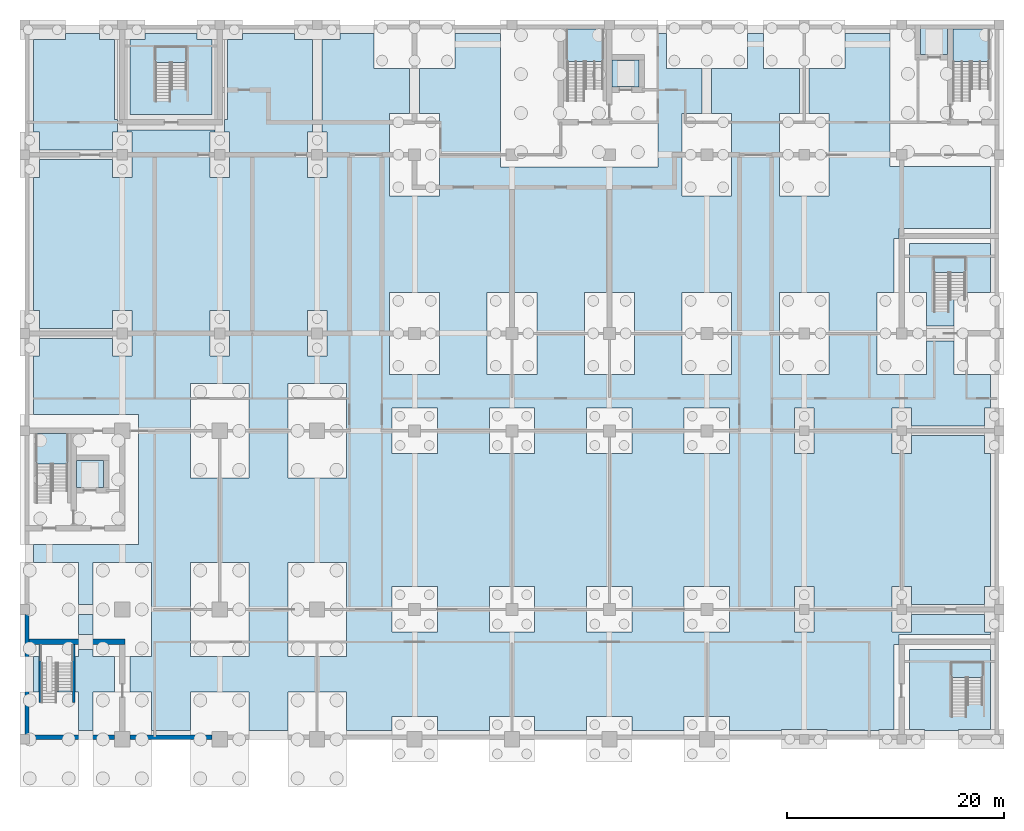
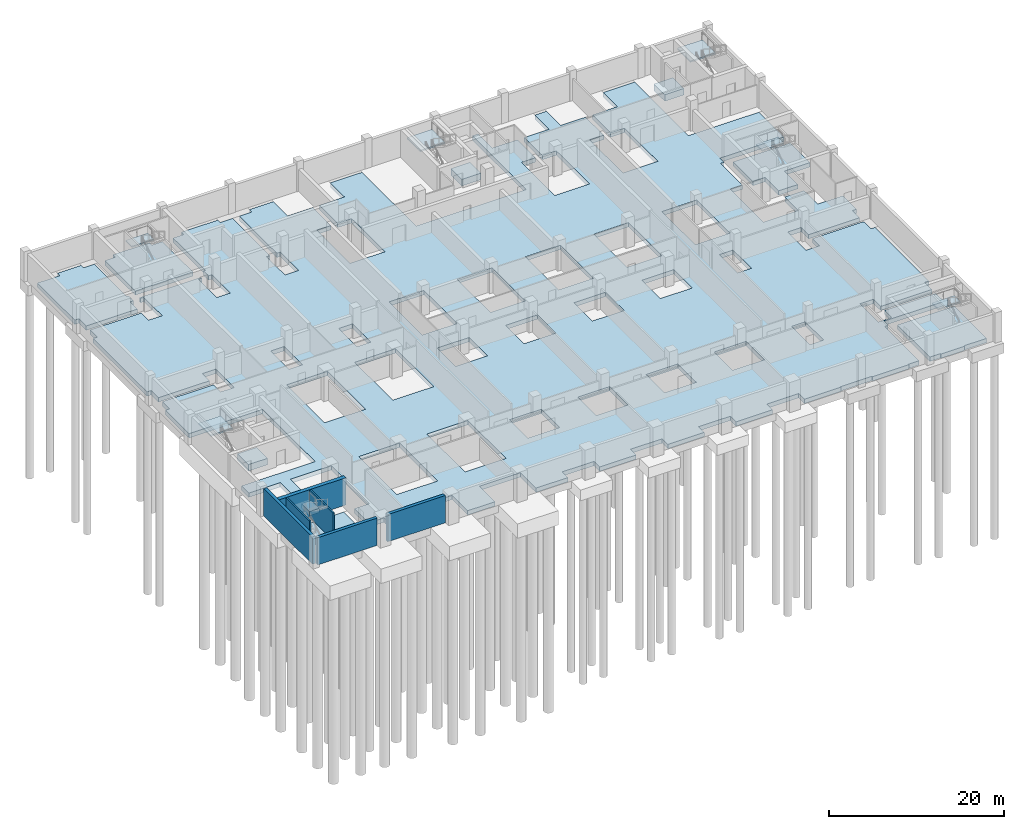
# One storey, part 4 of 15: 16 slabs, 6 walls, 6 elements without a shape of their own.
"""IFC4 building model written with IfcOpenShell, lengths in metres."""

from ifc_helpers import new_model, si_unit, direction, frame, frame_2d, origin, place, context, subcontext, project, spatial, polyline, rectangle, outline, extrude, material, layer, layer_set, type_object, element, aggregate, save


model = new_model("IFC4")

# Units and contexts
model_context = context("Model", 3, precision=1e-05, world=origin(), true_north=direction((0.0, 1.0)))
body_context = subcontext(model_context, "Body", "Model", "MODEL_VIEW")
ifc_project = project(units=[si_unit("LENGTHUNIT", "METRE"), si_unit("AREAUNIT", "SQUARE_METRE"), si_unit("VOLUMEUNIT", "CUBIC_METRE"), si_unit("PLANEANGLEUNIT", "RADIAN"), si_unit("MASSUNIT", "GRAM", prefix="KILO")], contexts=[model_context])

# Site, building, storey
site_placement = place(None, origin())
site = spatial("IfcSite", under=ifc_project, at=site_placement, CompositionType="ELEMENT")
building_placement = place(site_placement, origin())
building = spatial("IfcBuilding", under=site, at=building_placement, Name="Aurelan Courthouse", CompositionType="ELEMENT")
storey_placement = place(building_placement, frame((0.0, 0.0, -8.39990234375)))
storey = spatial("IfcBuildingStorey", under=building, at=storey_placement, Name="B2", CompositionType="ELEMENT", Elevation=-8.39990234375)

# Slabs
ifc_material_1 = material(Name="Concrete C50", Category="concrete")
ifc_layer_1 = layer(ifc_material_1, 0.60009765625)
ifc_layer_set_1 = layer_set([ifc_layer_1], Name="Concrete C50")
slab_type_1 = type_object("IfcSlabType", Name="Base slab 600", PredefinedType="BASESLAB", material=ifc_layer_set_1)
slab_1_placement = place(storey_placement, frame((0.0, 0.0, -0.60009765625)))
element("IfcSlab", 1, at=slab_1_placement, inside=storey, type_object=slab_type_1, Name="Base slab SL-B2-01", PredefinedType="BASESLAB", context=body_context, shape_type="SweptSolid", body=[
    extrude(outline(polyline([(29.10009765625, 65.199951171875), (29.10009765625, 64.64990234375), (27.449951171875, 64.64990234375), (27.449951171875, 56.10009765625), (27.89990234375, 56.10009765625), (27.89990234375, 51.89990234375), (26.10009765625, 51.89990234375), (26.10009765625, 56.10009765625), (26.550048828125, 56.10009765625), (26.550048828125, 64.64990234375), (24.89990234375, 64.64990234375), (24.89990234375, 65.199951171875), (20.10009765625, 65.199951171875), (20.10009765625, 64.64990234375), (18.699951171875, 64.64990234375), (18.699951171875, 57.25), (18.449951171875, 57.25), (18.449951171875, 56.10009765625), (18.89990234375, 56.10009765625), (18.89990234375, 51.89990234375), (17.10009765625, 51.89990234375), (17.10009765625, 56.10009765625), (17.550048828125, 56.10009765625), (17.550048828125, 56.300048828125), (9.449951171875, 56.300048828125), (9.449951171875, 56.10009765625), (9.89990234375, 56.10009765625), (9.89990234375, 51.89990234375), (8.10009765625, 51.89990234375), (8.10009765625, 53.550048828125), (1.35009765625, 53.550048828125), (1.35009765625, 51.89990234375), (0.800048828125, 51.89990234375), (0.800048828125, 39.60009765625), (1.35009765625, 39.60009765625), (1.35009765625, 37.949951171875), (8.10009765625, 37.949951171875), (8.10009765625, 39.60009765625), (9.89990234375, 39.60009765625), (9.89990234375, 35.39990234375), (8.10009765625, 35.39990234375), (8.10009765625, 37.050048828125), (1.35009765625, 37.050048828125), (1.35009765625, 35.39990234375), (0.800048828125, 35.39990234375), (0.800048828125, 30.0), (10.5, 30.0), (10.5, 18.0), (0.800048828125, 18.0), (0.800048828125, 16.35009765625), (4.949951171875, 16.35009765625), (4.949951171875, 12.449951171875), (6.300048828125, 12.449951171875), (6.300048828125, 16.35009765625), (11.699951171875, 16.35009765625), (11.699951171875, 7.64990234375), (9.699951171875, 7.64990234375), (9.699951171875, 4.35009765625), (11.699951171875, 4.35009765625), (11.699951171875, 0.800048828125), (15.300048828125, 0.800048828125), (15.300048828125, 4.35009765625), (20.699951171875, 4.35009765625), (20.699951171875, 0.800048828125), (24.300048828125, 0.800048828125), (24.300048828125, 4.35009765625), (29.699951171875, 4.35009765625), (29.699951171875, 0.800048828125), (33.89990234375, 0.800048828125), (33.89990234375, 2.10009765625), (38.10009765625, 2.10009765625), (38.10009765625, 0.800048828125), (42.89990234375, 0.800048828125), (42.89990234375, 2.10009765625), (47.10009765625, 2.10009765625), (47.10009765625, 0.800048828125), (51.89990234375, 0.800048828125), (51.89990234375, 2.10009765625), (56.10009765625, 2.10009765625), (56.10009765625, 0.800048828125), (60.89990234375, 0.800048828125), (60.89990234375, 2.10009765625), (65.10009765625, 2.10009765625), (65.10009765625, 0.800048828125), (69.89990234375, 0.800048828125), (69.89990234375, 0.89990234375), (74.10009765625, 0.89990234375), (74.10009765625, 0.800048828125), (78.89990234375, 0.800048828125), (78.89990234375, 0.89990234375), (80.300048828125, 0.89990234375), (80.300048828125, 8.75), (80.75, 8.75), (80.75, 9.699951171875), (89.199951171875, 9.699951171875), (89.199951171875, 9.89990234375), (88.64990234375, 9.89990234375), (88.64990234375, 11.550048828125), (81.89990234375, 11.550048828125), (81.89990234375, 9.89990234375), (80.10009765625, 9.89990234375), (80.10009765625, 14.10009765625), (81.89990234375, 14.10009765625), (81.89990234375, 12.449951171875), (88.64990234375, 12.449951171875), (88.64990234375, 14.10009765625), (89.199951171875, 14.10009765625), (89.199951171875, 26.39990234375), (88.64990234375, 26.39990234375), (88.64990234375, 28.050048828125), (81.89990234375, 28.050048828125), (81.89990234375, 26.39990234375), (80.10009765625, 26.39990234375), (80.10009765625, 30.60009765625), (81.89990234375, 30.60009765625), (81.89990234375, 28.949951171875), (88.64990234375, 28.949951171875), (88.64990234375, 30.60009765625), (89.199951171875, 30.60009765625), (89.199951171875, 33.699951171875), (85.85009765625, 33.699951171875), (85.85009765625, 36.800048828125), (83.300048828125, 36.800048828125), (83.300048828125, 33.699951171875), (78.699951171875, 33.699951171875), (78.699951171875, 41.300048828125), (80.300048828125, 41.300048828125), (80.300048828125, 46.25), (80.75, 46.25), (80.75, 47.199951171875), (89.199951171875, 47.199951171875), (89.199951171875, 52.89990234375), (79.89990234375, 52.89990234375), (79.89990234375, 65.199951171875), (75.75, 65.199951171875), (75.75, 61.949951171875), (72.449951171875, 61.949951171875), (72.449951171875, 57.800048828125), (74.300048828125, 57.800048828125), (74.300048828125, 50.199951171875), (69.699951171875, 50.199951171875), (69.699951171875, 57.800048828125), (71.550048828125, 57.800048828125), (71.550048828125, 61.949951171875), (68.25, 61.949951171875), (68.25, 65.199951171875), (66.75, 65.199951171875), (66.75, 61.949951171875), (63.449951171875, 61.949951171875), (63.449951171875, 57.800048828125), (65.300048828125, 57.800048828125), (65.300048828125, 50.199951171875), (60.699951171875, 50.199951171875), (60.699951171875, 57.800048828125), (62.550048828125, 57.800048828125), (62.550048828125, 61.949951171875), (59.25, 61.949951171875), (59.25, 65.199951171875), (58.5, 65.199951171875), (58.5, 52.85009765625), (43.949951171875, 52.85009765625), (43.949951171875, 65.199951171875), (39.75, 65.199951171875), (39.75, 61.949951171875), (36.449951171875, 61.949951171875), (36.449951171875, 57.800048828125), (38.300048828125, 57.800048828125), (38.300048828125, 50.199951171875), (33.699951171875, 50.199951171875), (33.699951171875, 57.800048828125), (35.550048828125, 57.800048828125), (35.550048828125, 61.949951171875), (32.25, 61.949951171875), (32.25, 65.199951171875), (29.10009765625, 65.199951171875)]), holes=[polyline([(69.699951171875, 41.300048828125), (74.300048828125, 41.300048828125), (74.300048828125, 33.699951171875), (69.699951171875, 33.699951171875), (69.699951171875, 41.300048828125)]), polyline([(71.10009765625, 30.60009765625), (72.89990234375, 30.60009765625), (72.89990234375, 26.39990234375), (71.10009765625, 26.39990234375), (71.10009765625, 30.60009765625)]), polyline([(71.10009765625, 14.10009765625), (72.89990234375, 14.10009765625), (72.89990234375, 9.89990234375), (71.10009765625, 9.89990234375), (71.10009765625, 14.10009765625)]), polyline([(60.699951171875, 41.300048828125), (65.300048828125, 41.300048828125), (65.300048828125, 33.699951171875), (60.699951171875, 33.699951171875), (60.699951171875, 41.300048828125)]), polyline([(60.89990234375, 30.60009765625), (65.10009765625, 30.60009765625), (65.10009765625, 26.39990234375), (60.89990234375, 26.39990234375), (60.89990234375, 30.60009765625)]), polyline([(60.89990234375, 14.10009765625), (65.10009765625, 14.10009765625), (65.10009765625, 9.89990234375), (60.89990234375, 9.89990234375), (60.89990234375, 14.10009765625)]), polyline([(51.699951171875, 41.300048828125), (56.300048828125, 41.300048828125), (56.300048828125, 33.699951171875), (51.699951171875, 33.699951171875), (51.699951171875, 41.300048828125)]), polyline([(51.89990234375, 30.60009765625), (56.10009765625, 30.60009765625), (56.10009765625, 26.39990234375), (51.89990234375, 26.39990234375), (51.89990234375, 30.60009765625)]), polyline([(51.89990234375, 14.10009765625), (56.10009765625, 14.10009765625), (56.10009765625, 9.89990234375), (51.89990234375, 9.89990234375), (51.89990234375, 14.10009765625)]), polyline([(42.699951171875, 41.300048828125), (47.300048828125, 41.300048828125), (47.300048828125, 33.699951171875), (42.699951171875, 33.699951171875), (42.699951171875, 41.300048828125)]), polyline([(42.89990234375, 14.10009765625), (47.10009765625, 14.10009765625), (47.10009765625, 9.89990234375), (42.89990234375, 9.89990234375), (42.89990234375, 14.10009765625)]), polyline([(42.89990234375, 26.39990234375), (42.89990234375, 30.60009765625), (47.10009765625, 30.60009765625), (47.10009765625, 26.39990234375), (42.89990234375, 26.39990234375)]), polyline([(33.699951171875, 41.300048828125), (38.300048828125, 41.300048828125), (38.300048828125, 33.699951171875), (33.699951171875, 33.699951171875), (33.699951171875, 41.300048828125)]), polyline([(33.89990234375, 30.60009765625), (38.10009765625, 30.60009765625), (38.10009765625, 26.39990234375), (33.89990234375, 26.39990234375), (33.89990234375, 30.60009765625)]), polyline([(33.89990234375, 9.89990234375), (33.89990234375, 14.10009765625), (38.10009765625, 14.10009765625), (38.10009765625, 9.89990234375), (33.89990234375, 9.89990234375)]), polyline([(24.300048828125, 32.85009765625), (29.699951171875, 32.85009765625), (29.699951171875, 24.14990234375), (24.300048828125, 24.14990234375), (24.300048828125, 32.85009765625)]), polyline([(24.300048828125, 16.35009765625), (29.699951171875, 16.35009765625), (29.699951171875, 7.64990234375), (24.300048828125, 7.64990234375), (24.300048828125, 16.35009765625)]), polyline([(26.10009765625, 35.39990234375), (26.10009765625, 39.60009765625), (27.89990234375, 39.60009765625), (27.89990234375, 35.39990234375), (26.10009765625, 35.39990234375)]), polyline([(15.300048828125, 16.35009765625), (20.699951171875, 16.35009765625), (20.699951171875, 7.64990234375), (15.300048828125, 7.64990234375), (15.300048828125, 16.35009765625)]), polyline([(15.300048828125, 32.85009765625), (20.699951171875, 32.85009765625), (20.699951171875, 24.14990234375), (15.300048828125, 24.14990234375), (15.300048828125, 32.85009765625)]), polyline([(17.10009765625, 39.60009765625), (18.89990234375, 39.60009765625), (18.89990234375, 35.39990234375), (17.10009765625, 35.39990234375), (17.10009765625, 39.60009765625)])]), origin(), (0.0, 0.0, 1.0), 0.60009765625),
])
slab_2_placement = place(storey_placement, frame((0.0, 0.0, -0.60009765625)))
element("IfcSlab", 2, at=slab_2_placement, inside=storey, type_object=slab_type_1, Name="Base slab SL-B2-02", PredefinedType="BASESLAB", context=body_context, shape_type="SweptSolid", body=[
    extrude(outline(polyline([(4.949951171875, 0.800048828125), (6.300048828125, 0.800048828125), (6.300048828125, 4.35009765625), (8.300048828125, 4.35009765625), (8.300048828125, 7.64990234375), (6.300048828125, 7.64990234375), (6.300048828125, 8.300048828125), (4.949951171875, 8.300048828125), (4.949951171875, 7.64990234375), (0.800048828125, 7.64990234375), (0.800048828125, 4.35009765625), (4.949951171875, 4.35009765625), (4.949951171875, 0.800048828125)])), origin(), (0.0, 0.0, 1.0), 0.60009765625),
])
slab_3_placement = place(storey_placement, frame((0.0, 0.0, -0.60009765625)))
element("IfcSlab", 3, at=slab_3_placement, inside=storey, type_object=slab_type_1, Name="Base slab SL-B2-03", PredefinedType="BASESLAB", context=body_context, shape_type="SweptSolid", body=[
    extrude(outline(polyline([(83.10009765625, 0.89990234375), (83.10009765625, 0.800048828125), (86.25, 0.800048828125), (86.25, 0.89990234375), (89.199951171875, 0.89990234375), (89.199951171875, 8.300048828125), (81.699951171875, 8.300048828125), (81.699951171875, 0.89990234375), (83.10009765625, 0.89990234375)])), origin(), (0.0, 0.0, 1.0), 0.60009765625),
])
slab_4_placement = place(storey_placement, frame((0.0, 0.0, -0.60009765625)))
element("IfcSlab", 4, at=slab_4_placement, inside=storey, type_object=slab_type_1, Name="Base slab SL-B2-04", PredefinedType="BASESLAB", context=body_context, shape_type="SweptSolid", body=[
    extrude(outline(polyline([(6.300048828125, 11.550048828125), (4.949951171875, 11.550048828125), (4.949951171875, 9.699951171875), (6.300048828125, 9.699951171875), (6.300048828125, 11.550048828125)])), origin(), (0.0, 0.0, 1.0), 0.60009765625),
])
slab_5_placement = place(storey_placement, frame((0.0, 0.0, -0.60009765625)))
element("IfcSlab", 5, at=slab_5_placement, inside=storey, type_object=slab_type_1, Name="Base slab SL-B2-05", PredefinedType="BASESLAB", context=body_context, shape_type="SweptSolid", body=[
    extrude(outline(polyline([(85.85009765625, 38.199951171875), (85.85009765625, 41.300048828125), (89.199951171875, 41.300048828125), (89.199951171875, 45.800048828125), (81.699951171875, 45.800048828125), (81.699951171875, 41.300048828125), (83.300048828125, 41.300048828125), (83.300048828125, 38.199951171875), (85.85009765625, 38.199951171875)])), origin(), (0.0, 0.0, 1.0), 0.60009765625),
])
slab_6_placement = place(storey_placement, frame((0.0, 0.0, -0.60009765625)))
element("IfcSlab", 6, at=slab_6_placement, inside=storey, type_object=slab_type_1, Name="Base slab SL-B2-06", PredefinedType="BASESLAB", context=body_context, shape_type="SweptSolid", body=[
    extrude(outline(polyline([(3.75, 64.64990234375), (0.800048828125, 64.64990234375), (0.800048828125, 56.10009765625), (1.35009765625, 56.10009765625), (1.35009765625, 54.449951171875), (8.10009765625, 54.449951171875), (8.10009765625, 56.10009765625), (8.550048828125, 56.10009765625), (8.550048828125, 57.25), (8.300048828125, 57.25), (8.300048828125, 64.64990234375), (6.89990234375, 64.64990234375), (6.89990234375, 65.199951171875), (3.75, 65.199951171875), (3.75, 64.64990234375)])), origin(), (0.0, 0.0, 1.0), 0.60009765625),
])
slab_7_placement = place(storey_placement, frame((0.0, 0.0, -0.60009765625)))
element("IfcSlab", 7, at=slab_7_placement, inside=storey, type_object=slab_type_1, Name="Base slab SL-B2-07", PredefinedType="BASESLAB", context=body_context, shape_type="SweptSolid", body=[
    extrude(outline(polyline([(11.10009765625, 65.199951171875), (11.10009765625, 64.64990234375), (9.699951171875, 64.64990234375), (9.699951171875, 57.699951171875), (17.300048828125, 57.699951171875), (17.300048828125, 64.64990234375), (15.89990234375, 64.64990234375), (15.89990234375, 65.199951171875), (11.10009765625, 65.199951171875)])), origin(), (0.0, 0.0, 1.0), 0.60009765625),
])
ifc_material_2 = material(Name="Concrete C35", Category="concrete")
ifc_layer_2 = layer(ifc_material_2, 0.89990234375)
ifc_layer_set_2 = layer_set([ifc_layer_2], Name="Concrete C35")
slab_type_2 = type_object("IfcSlabType", Name="Lift pit slab 900", PredefinedType="BASESLAB", material=ifc_layer_set_2)
slab_8_placement = place(storey_placement, frame((0.0, 0.0, -2.5)))
element("IfcSlab", 8, at=slab_8_placement, inside=storey, type_object=slab_type_2, Name="Lift pit slab 501", PredefinedType="BASESLAB", context=body_context, shape_type="SweptSolid", body=[
    extrude(outline(polyline([(4.75, 23.25), (7.25, 23.25), (7.25, 25.75), (4.75, 25.75), (4.75, 23.25)])), origin(), (0.0, 0.0, 1.0), 0.89990234375),
])
slab_9_placement = place(storey_placement, frame((0.0, 0.0, -2.5)))
element("IfcSlab", 9, at=slab_9_placement, inside=storey, type_object=slab_type_2, Name="Lift pit slab 201", PredefinedType="BASESLAB", context=body_context, shape_type="SweptSolid", body=[
    extrude(outline(polyline([(54.25, 60.25), (56.75, 60.25), (56.75, 62.75), (54.25, 62.75), (54.25, 60.25)])), origin(), (0.0, 0.0, 1.0), 0.89990234375),
])
slab_10_placement = place(storey_placement, frame((0.0, 0.0, -2.5)))
element("IfcSlab", 10, at=slab_10_placement, inside=storey, type_object=slab_type_2, Name="Lift pit slab 301", PredefinedType="BASESLAB", context=body_context, shape_type="SweptSolid", body=[
    extrude(outline(polyline([(82.75, 63.25), (85.25, 63.25), (85.25, 65.75), (82.75, 65.75), (82.75, 63.25)])), origin(), (0.0, 0.0, 1.0), 0.89990234375),
])

# Stair, slab
ifc_material_3 = material(Name="Concrete C30", Category="concrete")
stair_type_1 = type_object("IfcStairType", Name="Half-turn stair 1400 wide 24 risers", PredefinedType="HALF_TURN_STAIR", material=ifc_material_3)
stair_1_placement = place(storey_placement, origin())
stair_1 = element("IfcStair", 11, at=stair_1_placement, inside=storey, type_object=stair_type_1, Name="Stair BS-2-B2", PredefinedType="HALF_TURN_STAIR")
ifc_layer_3 = layer(ifc_material_3, 0.199951171875)
ifc_layer_set_3 = layer_set([ifc_layer_3], Name="Concrete C30")
slab_type_3 = type_object("IfcSlabType", Name="Stair half landing 200 thick", PredefinedType="LANDING", material=ifc_layer_set_3)
slab_11_placement = place(storey_placement, frame((0.0, 0.0, 2.25)))
slab_11 = element("IfcSlab", 12, at=slab_11_placement, type_object=slab_type_3, Name="Stair BS-2-B2 half landing", PredefinedType="LANDING", context=body_context, shape_type="SweptSolid", body=[
    extrude(outline(polyline([(85.590087890625, 7.094970703125), (88.489990234375, 7.094970703125), (88.489990234375, 5.695068359375), (85.590087890625, 5.695068359375), (85.590087890625, 7.094970703125)])), origin(), (0.0, 0.0, 1.0), 0.199951171875),
])
aggregate(stair_1, [slab_11])

stair_2_placement = place(storey_placement, origin())
stair_2 = element("IfcStair", 13, at=stair_2_placement, inside=storey, type_object=stair_type_1, Name="Stair BS-3-B2", PredefinedType="HALF_TURN_STAIR")
slab_12_placement = place(storey_placement, frame((0.0, 0.0, 2.25)))
slab_12 = element("IfcSlab", 14, at=slab_12_placement, type_object=slab_type_3, Name="Stair BS-3-B2 half landing", PredefinedType="LANDING", context=body_context, shape_type="SweptSolid", body=[
    extrude(outline(polyline([(12.050048828125, 63.945068359375), (14.949951171875, 63.945068359375), (14.949951171875, 62.544921875), (12.050048828125, 62.544921875), (12.050048828125, 63.945068359375)])), origin(), (0.0, 0.0, 1.0), 0.199951171875),
])
aggregate(stair_2, [slab_12])

stair_3_placement = place(storey_placement, origin())
stair_3 = element("IfcStair", 15, at=stair_3_placement, inside=storey, type_object=stair_type_1, Name="Stair BS-4-B2", PredefinedType="HALF_TURN_STAIR")
slab_13_placement = place(storey_placement, frame((0.0, 0.0, 2.25)))
slab_13 = element("IfcSlab", 16, at=slab_13_placement, type_object=slab_type_3, Name="Stair BS-4-B2 half landing", PredefinedType="LANDING", context=body_context, shape_type="SweptSolid", body=[
    extrude(outline(polyline([(83.97509765625, 44.52001953125), (86.875, 44.52001953125), (86.875, 43.1201171875), (83.97509765625, 43.1201171875), (83.97509765625, 44.52001953125)])), origin(), (0.0, 0.0, 1.0), 0.199951171875),
])
aggregate(stair_3, [slab_13])

stair_type_2 = type_object("IfcStairType", Name="Half-turn stair 1600 wide 24 risers", PredefinedType="HALF_TURN_STAIR", material=ifc_material_3)
stair_4_placement = place(storey_placement, origin())
stair_4 = element("IfcStair", 17, at=stair_4_placement, inside=storey, type_object=stair_type_2, Name="Stair ST-2A-B2", PredefinedType="HALF_TURN_STAIR")
slab_14_placement = place(storey_placement, frame((0.0, 0.0, 2.25)))
slab_14 = element("IfcSlab", 18, at=slab_14_placement, type_object=slab_type_3, Name="Stair ST-2A-B2 half landing", PredefinedType="LANDING", context=body_context, shape_type="SweptSolid", body=[
    extrude(outline(polyline([(50.10009765625, 65.60009765625), (53.39990234375, 65.60009765625), (53.39990234375, 62.60009765625), (50.10009765625, 62.60009765625), (50.10009765625, 65.60009765625)])), origin(), (0.0, 0.0, 1.0), 0.199951171875),
])
aggregate(stair_4, [slab_14])

stair_5_placement = place(storey_placement, origin())
stair_5 = element("IfcStair", 19, at=stair_5_placement, inside=storey, type_object=stair_type_2, Name="Stair ST-3B-B2", PredefinedType="HALF_TURN_STAIR")
slab_15_placement = place(storey_placement, frame((0.0, 0.0, 2.25)))
slab_15 = element("IfcSlab", 20, at=slab_15_placement, type_object=slab_type_3, Name="Stair ST-3B-B2 half landing", PredefinedType="LANDING", context=body_context, shape_type="SweptSolid", body=[
    extrude(outline(polyline([(85.75, 65.60009765625), (89.050048828125, 65.60009765625), (89.050048828125, 62.60009765625), (85.75, 62.60009765625), (85.75, 65.60009765625)])), origin(), (0.0, 0.0, 1.0), 0.199951171875),
])
aggregate(stair_5, [slab_15])

stair_6_placement = place(storey_placement, origin())
stair_6 = element("IfcStair", 21, at=stair_6_placement, inside=storey, type_object=stair_type_1, Name="Stair ST-5B-B2", PredefinedType="HALF_TURN_STAIR")
slab_16_placement = place(storey_placement, frame((0.0, 0.0, 2.25)))
slab_16 = element("IfcSlab", 22, at=slab_16_placement, type_object=slab_type_3, Name="Stair ST-5B-B2 half landing", PredefinedType="LANDING", context=body_context, shape_type="SweptSolid", body=[
    extrude(outline(polyline([(1.06005859375, 28.25), (3.9599609375, 28.25), (3.9599609375, 25.449951171875), (1.06005859375, 25.449951171875), (1.06005859375, 28.25)])), origin(), (0.0, 0.0, 1.0), 0.199951171875),
])
aggregate(stair_6, [slab_16])

# Walls
ifc_layer_4 = layer(ifc_material_1, 0.39990234375)
ifc_layer_set_4 = layer_set([ifc_layer_4], Name="Concrete C50")
wall_type_1 = type_object("IfcWallType", Name="RC retaining wall 400", PredefinedType="SOLIDWALL", material=ifc_layer_set_4)
wall_1_placement = place(storey_placement, frame((0.449951171875, 0.199951171875, 0.0), z_axis=(0.0, 0.0, 1.0), x_axis=(1.0, 0.0, 0.0)))
element("IfcWall", 23, at=wall_1_placement, inside=storey, type_object=wall_type_1, Name="Retaining wall SW-B2-001", PredefinedType="SOLIDWALL", context=body_context, shape_type="SweptSolid", body=[
    extrude(rectangle(XDim=7.85009765625, YDim=0.39990234375, at=frame_2d((3.925048828125, 0.0))), origin(), (0.0, 0.0, 1.0), 3.7998046875),
])
wall_2_placement = place(storey_placement, frame((9.699951171875, 0.199951171875, 0.0), z_axis=(0.0, 0.0, 1.0), x_axis=(1.0, 0.0, 0.0)))
element("IfcWall", 24, at=wall_2_placement, inside=storey, type_object=wall_type_1, Name="Retaining wall SW-B2-002", PredefinedType="SOLIDWALL", context=body_context, shape_type="SweptSolid", body=[
    extrude(rectangle(XDim=7.60009765625, YDim=0.39990234375, at=frame_2d((3.800048828125, 0.0))), origin(), (0.0, 0.0, 1.0), 3.7998046875),
])
wall_3_placement = place(storey_placement, frame((0.199951171875, 0.449951171875, 0.0), z_axis=(0.0, 0.0, 1.0), x_axis=(0.0, 1.0, 0.0)))
element("IfcWall", 25, at=wall_3_placement, inside=storey, type_object=wall_type_1, Name="Retaining wall SW-B2-011", PredefinedType="SOLIDWALL", context=body_context, shape_type="SweptSolid", body=[
    extrude(rectangle(XDim=11.10009765625, YDim=0.39990234375, at=frame_2d((5.550048828125, 0.0))), origin(), (0.0, 0.0, 1.0), 3.7998046875),
])
ifc_layer_5 = layer(ifc_material_1, 0.5)
ifc_layer_set_5 = layer_set([ifc_layer_5], Name="Concrete C50")
wall_type_2 = type_object("IfcWallType", Name="RC shear wall 500", PredefinedType="SHEAR", material=ifc_layer_set_5)
wall_4_placement = place(storey_placement, frame((0.0, 9.0, 0.0), z_axis=(0.0, 0.0, 1.0), x_axis=(1.0, 0.0, 0.0)))
element("IfcWall", 26, at=wall_4_placement, inside=storey, type_object=wall_type_2, Name="Core wall SW-B2-015", PredefinedType="SHEAR", context=body_context, shape_type="SweptSolid", body=[
    extrude(rectangle(XDim=9.25, YDim=0.5, at=frame_2d((4.625, 0.0))), origin(), (0.0, 0.0, 1.0), 3.7998046875),
])
ifc_layer_6 = layer(ifc_material_3, 0.199951171875)
ifc_layer_set_6 = layer_set([ifc_layer_6], Name="Concrete C30")
wall_type_3 = type_object("IfcWallType", Name="Stair well wall 200 EI 120 load-bearing", PredefinedType="SHEAR", material=ifc_layer_set_6)
for number, where, z_axis, x_axis, name in (
    (27, (1.409912109375, 3.39990234375, 0.0), (0.0, 0.0, 1.0), (0.0, 1.0, 0.0), "Stair well wall BS-1-B2 A"),
    (28, (4.510009765625, 3.39990234375, 0.0), (0.0, 0.0, 1.0), (0.0, 1.0, 0.0), "Stair well wall BS-1-B2 B"),
):
    element("IfcWall", number, at=place(storey_placement, frame(where, z_axis=z_axis, x_axis=x_axis)), inside=storey, type_object=wall_type_3, Name=name, PredefinedType="SHEAR", context=body_context, shape_type="SweptSolid", body=[
        extrude(rectangle(XDim=5.35009765625, YDim=0.199951171875, at=frame_2d((2.675048828125, 0.0))), origin(), (0.0, 0.0, 1.0), 3.7998046875),
    ])

save(model, "model.ifc")
